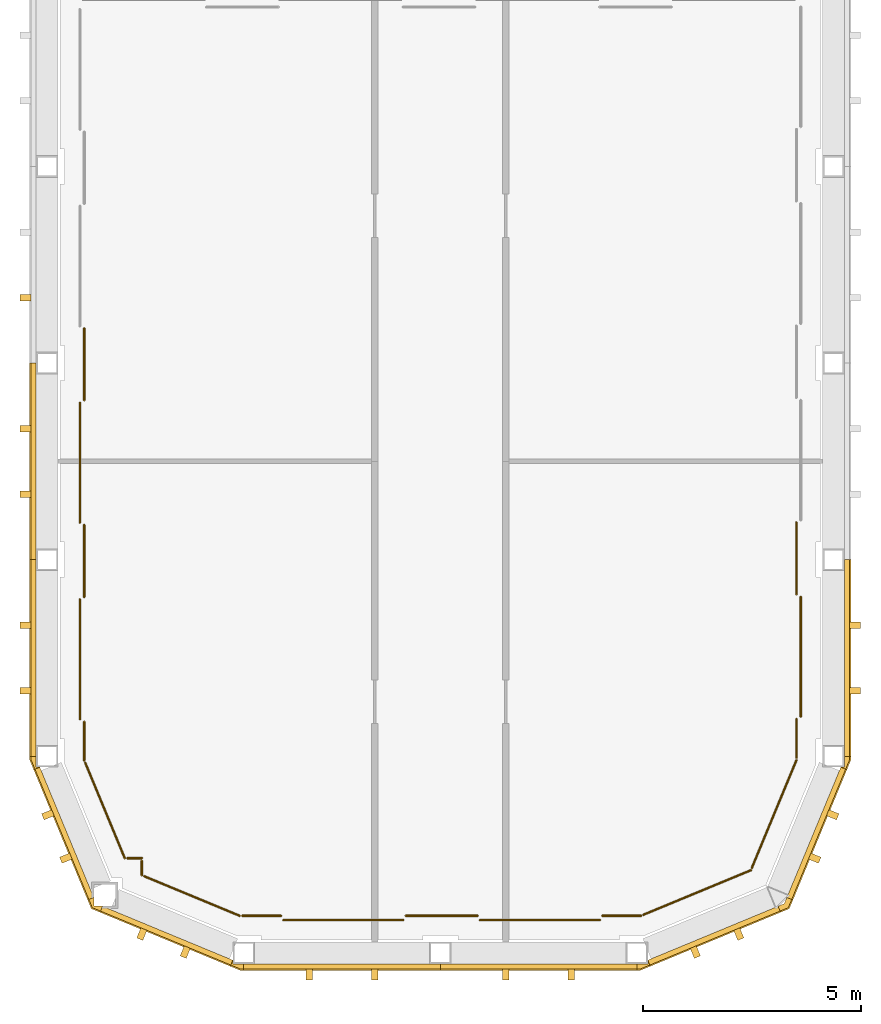
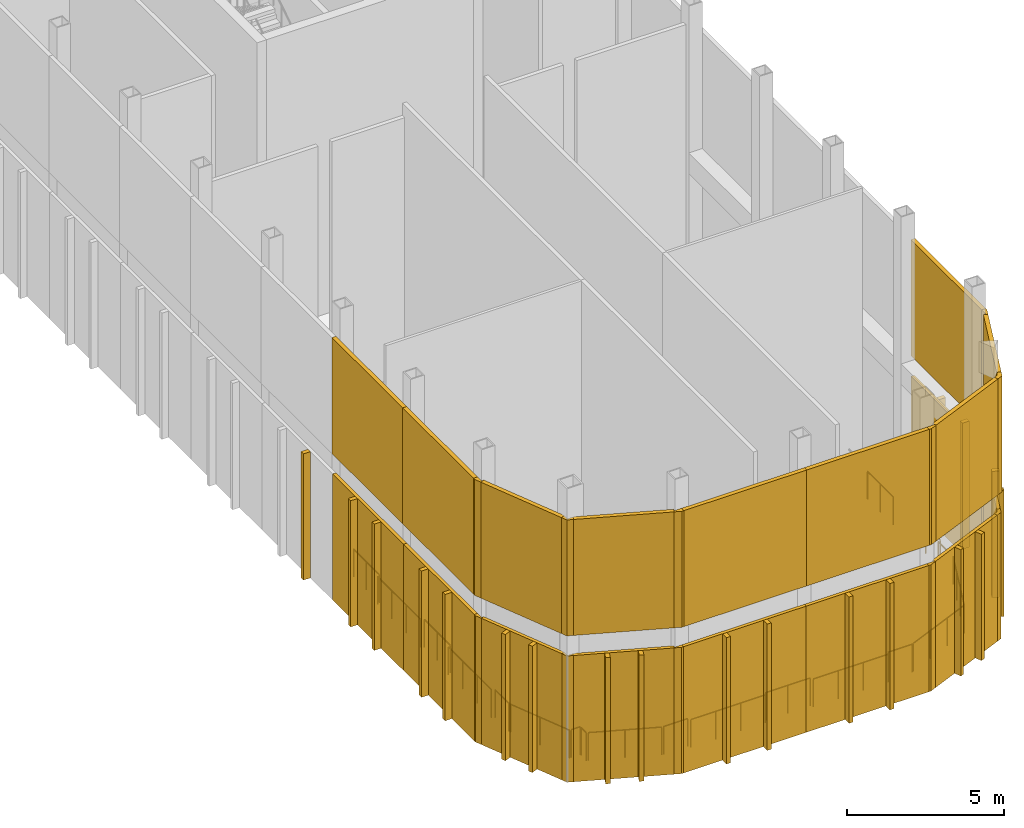
# One storey, part 4 of 8: 49 shading devices, 19 railings.
"""IFC4 building model written with IfcOpenShell, lengths in metres."""

from ifc_helpers import new_model, si_unit, direction, frame, origin, origin_2d, place, context, subcontext, project, spatial, polyline, rectangle, circle, outline, extrude, material, type_object, element, save


model = new_model("IFC4")

# Units and contexts
model_context = context("Model", 3, precision=1e-05, world=origin(), true_north=direction((0.0, 1.0)))
body_context = subcontext(model_context, "Body", "Model", "MODEL_VIEW")
ifc_project = project(units=[si_unit("LENGTHUNIT", "METRE"), si_unit("AREAUNIT", "SQUARE_METRE"), si_unit("VOLUMEUNIT", "CUBIC_METRE"), si_unit("PLANEANGLEUNIT", "RADIAN"), si_unit("MASSUNIT", "GRAM", prefix="KILO")], contexts=[model_context])

# Site, building, storey
site_placement = place(None, origin())
site = spatial("IfcSite", under=ifc_project, at=site_placement, CompositionType="ELEMENT")
building_placement = place(site_placement, origin())
building = spatial("IfcBuilding", under=site, at=building_placement, Name="Girih Gate Residences", CompositionType="ELEMENT")
storey_placement = place(building_placement, frame((0.0, 0.0, 235.695068359375)))
storey = spatial("IfcBuildingStorey", under=building, at=storey_placement, Name="L66", CompositionType="ELEMENT", Elevation=235.695068359375)

# Railings
ifc_material_1 = material(Name="Stainless steel railing", Category="steel")
railing_type = type_object("IfcRailingType", Name="Crown deck guard 1100", PredefinedType="GUARDRAIL", material=ifc_material_1)
railing_1_placement = place(storey_placement, frame((17.14990234375, 9.85009765625, 0.0)))
element("IfcRailing", 1, at=railing_1_placement, inside=storey, type_object=railing_type, Name="Crown deck guard L66 1.1.13", PredefinedType="GUARDRAIL", context=body_context, shape_type="SweptSolid", body=[
    extrude(circle(Radius=0.02490234375, at=origin_2d()), frame((0.0, 0.0, 1.0751953125), z_axis=(0.0, -1.0, 0.0), x_axis=(1.0, 0.0, 0.0)), (0.0, 0.0, 1.0), 1.64013671875),
    extrude(circle(Radius=0.02490234375, at=origin_2d()), origin(), (0.0, 0.0, 1.0), 1.050048828125),
    extrude(circle(Radius=0.02490234375, at=origin_2d()), frame((0.0, -0.820068359375, 0.0)), (0.0, 0.0, 1.0), 1.050048828125),
    extrude(circle(Radius=0.02490234375, at=origin_2d()), frame((0.0, -1.64013671875, 0.0)), (0.0, 0.0, 1.0), 1.050048828125),
])
railing_2_placement = place(storey_placement, frame((17.25, 8.14990234375, 0.0)))
element("IfcRailing", 2, at=railing_2_placement, inside=storey, type_object=railing_type, Name="Crown deck guard L66 1.1.14", PredefinedType="GUARDRAIL", context=body_context, shape_type="SweptSolid", body=[
    extrude(circle(Radius=0.02490234375, at=origin_2d()), frame((0.0, 0.0, 1.0751953125), z_axis=(0.0, -1.0, 0.0), x_axis=(1.0, 0.0, 0.0)), (0.0, 0.0, 1.0), 2.739990234375),
    extrude(circle(Radius=0.02490234375, at=origin_2d()), origin(), (0.0, 0.0, 1.0), 1.050048828125),
    extrude(circle(Radius=0.02490234375, at=origin_2d()), frame((0.0, -0.913330078125, 0.0)), (0.0, 0.0, 1.0), 1.050048828125),
    extrude(circle(Radius=0.02490234375, at=origin_2d()), frame((0.0, -1.82666015625, 0.0)), (0.0, 0.0, 1.0), 1.050048828125),
    extrude(circle(Radius=0.02490234375, at=origin_2d()), frame((0.0, -2.739990234375, 0.0)), (0.0, 0.0, 1.0), 1.050048828125),
])
railing_3_placement = place(storey_placement, frame((17.14990234375, 5.35009765625, 0.0)))
element("IfcRailing", 3, at=railing_3_placement, inside=storey, type_object=railing_type, Name="Crown deck guard L66 1.1.15", PredefinedType="GUARDRAIL", context=body_context, shape_type="SweptSolid", body=[
    extrude(circle(Radius=0.02490234375, at=origin_2d()), frame((0.0, 0.0, 1.0751953125), z_axis=(0.0, -1.0, 0.0), x_axis=(1.0, 0.0, 0.0)), (0.0, 0.0, 1.0), 0.88232421875),
    extrude(circle(Radius=0.02490234375, at=origin_2d()), origin(), (0.0, 0.0, 1.0), 1.050048828125),
    extrude(circle(Radius=0.02490234375, at=origin_2d()), frame((0.0, -0.88232421875, 0.0)), (0.0, 0.0, 1.0), 1.050048828125),
])
railing_4_placement = place(storey_placement, frame((17.14990234375, 4.40771484375, 0.0)))
element("IfcRailing", 4, at=railing_4_placement, inside=storey, type_object=railing_type, Name="Crown deck guard L66 1.1.16", PredefinedType="GUARDRAIL", context=body_context, shape_type="SweptSolid", body=[
    extrude(circle(Radius=0.02490234375, at=origin_2d()), frame((0.0, 0.0, 1.0751953125), z_axis=(-0.382681079373, -0.923880507149, 0.0), x_axis=(0.923880507149, -0.382681079373, 0.0)), (0.0, 0.0, 1.0), 2.662841796875),
    extrude(circle(Radius=0.02490234375, at=origin_2d()), origin(), (0.0, 0.0, 1.0), 1.050048828125),
    extrude(circle(Radius=0.02490234375, at=origin_2d()), frame((-0.339599609375, -0.820068359375, 0.0)), (0.0, 0.0, 1.0), 1.050048828125),
    extrude(circle(Radius=0.02490234375, at=origin_2d()), frame((-0.679443359375, -1.64013671875, 0.0)), (0.0, 0.0, 1.0), 1.050048828125),
    extrude(circle(Radius=0.02490234375, at=origin_2d()), frame((-1.01904296875, -2.460205078125, 0.0)), (0.0, 0.0, 1.0), 1.050048828125),
])
railing_5_placement = place(storey_placement, frame((16.10791015625, 1.89208984375, 0.0)))
element("IfcRailing", 5, at=railing_5_placement, inside=storey, type_object=railing_type, Name="Crown deck guard L66 1.1.17", PredefinedType="GUARDRAIL", context=body_context, shape_type="SweptSolid", body=[
    extrude(circle(Radius=0.02490234375, at=origin_2d()), frame((0.0, 0.0, 1.0751953125), z_axis=(-0.923880507149, -0.382681079373, 0.0), x_axis=(0.382681079373, -0.923880507149, 0.0)), (0.0, 0.0, 1.0), 2.662841796875),
    extrude(circle(Radius=0.02490234375, at=origin_2d()), origin(), (0.0, 0.0, 1.0), 1.050048828125),
    extrude(circle(Radius=0.02490234375, at=origin_2d()), frame((-0.820068359375, -0.339599609375, 0.0)), (0.0, 0.0, 1.0), 1.050048828125),
    extrude(circle(Radius=0.02490234375, at=origin_2d()), frame((-1.64013671875, -0.679443359375, 0.0)), (0.0, 0.0, 1.0), 1.050048828125),
    extrude(circle(Radius=0.02490234375, at=origin_2d()), frame((-2.460205078125, -1.01904296875, 0.0)), (0.0, 0.0, 1.0), 1.050048828125),
])
railing_6_placement = place(storey_placement, frame((13.59228515625, 0.85009765625, 0.0)))
element("IfcRailing", 6, at=railing_6_placement, inside=storey, type_object=railing_type, Name="Crown deck guard L66 1.1.18", PredefinedType="GUARDRAIL", context=body_context, shape_type="SweptSolid", body=[
    extrude(circle(Radius=0.02490234375, at=origin_2d()), frame((0.0, 0.0, 1.0751953125), z_axis=(-1.0, 0.0, 0.0), x_axis=(0.0, -1.0, 0.0)), (0.0, 0.0, 1.0), 0.88232421875),
    extrude(circle(Radius=0.02490234375, at=origin_2d()), origin(), (0.0, 0.0, 1.0), 1.050048828125),
    extrude(circle(Radius=0.02490234375, at=origin_2d()), frame((-0.88232421875, 0.0, 0.0)), (0.0, 0.0, 1.0), 1.050048828125),
])
railing_7_placement = place(storey_placement, frame((12.64990234375, 0.75, 0.0)))
element("IfcRailing", 7, at=railing_7_placement, inside=storey, type_object=railing_type, Name="Crown deck guard L66 1.1.19", PredefinedType="GUARDRAIL", context=body_context, shape_type="SweptSolid", body=[
    extrude(circle(Radius=0.02490234375, at=origin_2d()), frame((0.0, 0.0, 1.0751953125), z_axis=(-1.0, 0.0, 0.0), x_axis=(0.0, -1.0, 0.0)), (0.0, 0.0, 1.0), 2.739990234375),
    extrude(circle(Radius=0.02490234375, at=origin_2d()), origin(), (0.0, 0.0, 1.0), 1.050048828125),
    extrude(circle(Radius=0.02490234375, at=origin_2d()), frame((-0.913330078125, 0.0, 0.0)), (0.0, 0.0, 1.0), 1.050048828125),
    extrude(circle(Radius=0.02490234375, at=origin_2d()), frame((-1.82666015625, 0.0, 0.0)), (0.0, 0.0, 1.0), 1.050048828125),
    extrude(circle(Radius=0.02490234375, at=origin_2d()), frame((-2.739990234375, 0.0, 0.0)), (0.0, 0.0, 1.0), 1.050048828125),
])
railing_8_placement = place(storey_placement, frame((9.85009765625, 0.85009765625, 0.0)))
element("IfcRailing", 8, at=railing_8_placement, inside=storey, type_object=railing_type, Name="Crown deck guard L66 1.1.20", PredefinedType="GUARDRAIL", context=body_context, shape_type="SweptSolid", body=[
    extrude(circle(Radius=0.02490234375, at=origin_2d()), frame((0.0, 0.0, 1.0751953125), z_axis=(-1.0, 0.0, 0.0), x_axis=(0.0, -1.0, 0.0)), (0.0, 0.0, 1.0), 1.64013671875),
    extrude(circle(Radius=0.02490234375, at=origin_2d()), origin(), (0.0, 0.0, 1.0), 1.050048828125),
    extrude(circle(Radius=0.02490234375, at=origin_2d()), frame((-0.820068359375, 0.0, 0.0)), (0.0, 0.0, 1.0), 1.050048828125),
    extrude(circle(Radius=0.02490234375, at=origin_2d()), frame((-1.64013671875, 0.0, 0.0)), (0.0, 0.0, 1.0), 1.050048828125),
])
railing_9_placement = place(storey_placement, frame((8.14990234375, 0.75, 0.0)))
element("IfcRailing", 9, at=railing_9_placement, inside=storey, type_object=railing_type, Name="Crown deck guard L66 1.1.21", PredefinedType="GUARDRAIL", context=body_context, shape_type="SweptSolid", body=[
    extrude(circle(Radius=0.02490234375, at=origin_2d()), frame((0.0, 0.0, 1.0751953125), z_axis=(-1.0, 0.0, 0.0), x_axis=(0.0, -1.0, 0.0)), (0.0, 0.0, 1.0), 2.739990234375),
    extrude(circle(Radius=0.02490234375, at=origin_2d()), origin(), (0.0, 0.0, 1.0), 1.050048828125),
    extrude(circle(Radius=0.02490234375, at=origin_2d()), frame((-0.913330078125, 0.0, 0.0)), (0.0, 0.0, 1.0), 1.050048828125),
    extrude(circle(Radius=0.02490234375, at=origin_2d()), frame((-1.82666015625, 0.0, 0.0)), (0.0, 0.0, 1.0), 1.050048828125),
    extrude(circle(Radius=0.02490234375, at=origin_2d()), frame((-2.739990234375, 0.0, 0.0)), (0.0, 0.0, 1.0), 1.050048828125),
])
railing_10_placement = place(storey_placement, frame((5.35009765625, 0.85009765625, 0.0)))
element("IfcRailing", 10, at=railing_10_placement, inside=storey, type_object=railing_type, Name="Crown deck guard L66 1.1.22", PredefinedType="GUARDRAIL", context=body_context, shape_type="SweptSolid", body=[
    extrude(circle(Radius=0.02490234375, at=origin_2d()), frame((0.0, 0.0, 1.0751953125), z_axis=(-1.0, 0.0, 0.0), x_axis=(0.0, -1.0, 0.0)), (0.0, 0.0, 1.0), 0.88232421875),
    extrude(circle(Radius=0.02490234375, at=origin_2d()), origin(), (0.0, 0.0, 1.0), 1.050048828125),
    extrude(circle(Radius=0.02490234375, at=origin_2d()), frame((-0.88232421875, 0.0, 0.0)), (0.0, 0.0, 1.0), 1.050048828125),
])
railing_11_placement = place(storey_placement, frame((4.40771484375, 0.85009765625, 0.0)))
element("IfcRailing", 11, at=railing_11_placement, inside=storey, type_object=railing_type, Name="Crown deck guard L66 1.1.23", PredefinedType="GUARDRAIL", context=body_context, shape_type="SweptSolid", body=[
    extrude(circle(Radius=0.02490234375, at=origin_2d()), frame((0.0, 0.0, 1.0751953125), z_axis=(-0.923878391349, 0.382686187363, 0.0), x_axis=(-0.382686187363, -0.923878391349, 0.0)), (0.0, 0.0, 1.0), 2.3642578125),
    extrude(circle(Radius=0.02490234375, at=origin_2d()), origin(), (0.0, 0.0, 1.0), 1.050048828125),
    extrude(circle(Radius=0.02490234375, at=origin_2d()), frame((-1.09228515625, 0.452392578125, 0.0)), (0.0, 0.0, 1.0), 1.050048828125),
    extrude(circle(Radius=0.02490234375, at=origin_2d()), frame((-2.184326171875, 0.90478515625, 0.0)), (0.0, 0.0, 1.0), 1.050048828125),
])
railing_12_placement = place(storey_placement, frame((2.16796875, 1.777587890625, 0.0)))
element("IfcRailing", 12, at=railing_12_placement, inside=storey, type_object=railing_type, Name="Crown deck guard L66 1.1.24", PredefinedType="GUARDRAIL", context=body_context, shape_type="SweptSolid", body=[
    extrude(circle(Radius=0.02490234375, at=origin_2d()), frame((0.0, 0.0, 1.0751953125), z_axis=(0.0, 1.0, 0.0), x_axis=(-1.0, 0.0, 0.0)), (0.0, 0.0, 1.0), 0.330322265625),
    extrude(circle(Radius=0.02490234375, at=origin_2d()), origin(), (0.0, 0.0, 1.0), 1.050048828125),
    extrude(circle(Radius=0.02490234375, at=origin_2d()), frame((0.0, 0.330322265625, 0.0)), (0.0, 0.0, 1.0), 1.050048828125),
])
railing_13_placement = place(storey_placement, frame((2.16796875, 2.16796875, 0.0)))
element("IfcRailing", 13, at=railing_13_placement, inside=storey, type_object=railing_type, Name="Crown deck guard L66 1.1.25", PredefinedType="GUARDRAIL", context=body_context, shape_type="SweptSolid", body=[
    extrude(circle(Radius=0.02490234375, at=origin_2d()), frame((0.0, 0.0, 1.0751953125), z_axis=(-1.0, 0.0, 0.0), x_axis=(0.0, -1.0, 0.0)), (0.0, 0.0, 1.0), 0.330322265625),
    extrude(circle(Radius=0.02490234375, at=origin_2d()), origin(), (0.0, 0.0, 1.0), 1.050048828125),
    extrude(circle(Radius=0.02490234375, at=origin_2d()), frame((-0.330322265625, 0.0, 0.0)), (0.0, 0.0, 1.0), 1.050048828125),
])
railing_14_placement = place(storey_placement, frame((1.777587890625, 2.16796875, 0.0)))
element("IfcRailing", 14, at=railing_14_placement, inside=storey, type_object=railing_type, Name="Crown deck guard L66 1.1.26", PredefinedType="GUARDRAIL", context=body_context, shape_type="SweptSolid", body=[
    extrude(circle(Radius=0.02490234375, at=origin_2d()), frame((0.0, 0.0, 1.0751953125), z_axis=(-0.382598043368, 0.923914897169, 0.0), x_axis=(-0.923914897169, -0.382598043368, 0.0)), (0.0, 0.0, 1.0), 2.3642578125),
    extrude(circle(Radius=0.02490234375, at=origin_2d()), origin(), (0.0, 0.0, 1.0), 1.050048828125),
    extrude(circle(Radius=0.02490234375, at=origin_2d()), frame((-0.4521484375, 1.09228515625, 0.0)), (0.0, 0.0, 1.0), 1.050048828125),
    extrude(circle(Radius=0.02490234375, at=origin_2d()), frame((-0.904541015625, 2.184326171875, 0.0)), (0.0, 0.0, 1.0), 1.050048828125),
])
railing_15_placement = place(storey_placement, frame((0.85009765625, 4.40771484375, 0.0)))
element("IfcRailing", 15, at=railing_15_placement, inside=storey, type_object=railing_type, Name="Crown deck guard L66 1.1.27", PredefinedType="GUARDRAIL", context=body_context, shape_type="SweptSolid", body=[
    extrude(circle(Radius=0.02490234375, at=origin_2d()), frame((0.0, 0.0, 1.0751953125), z_axis=(0.0, 1.0, 0.0), x_axis=(-1.0, 0.0, 0.0)), (0.0, 0.0, 1.0), 0.88232421875),
    extrude(circle(Radius=0.02490234375, at=origin_2d()), origin(), (0.0, 0.0, 1.0), 1.050048828125),
    extrude(circle(Radius=0.02490234375, at=origin_2d()), frame((0.0, 0.88232421875, 0.0)), (0.0, 0.0, 1.0), 1.050048828125),
])
railing_16_placement = place(storey_placement, frame((0.75, 5.35009765625, 0.0)))
element("IfcRailing", 16, at=railing_16_placement, inside=storey, type_object=railing_type, Name="Crown deck guard L66 1.1.28", PredefinedType="GUARDRAIL", context=body_context, shape_type="SweptSolid", body=[
    extrude(circle(Radius=0.02490234375, at=origin_2d()), frame((0.0, 0.0, 1.0751953125), z_axis=(0.0, 1.0, 0.0), x_axis=(-1.0, 0.0, 0.0)), (0.0, 0.0, 1.0), 2.739990234375),
    extrude(circle(Radius=0.02490234375, at=origin_2d()), origin(), (0.0, 0.0, 1.0), 1.050048828125),
    extrude(circle(Radius=0.02490234375, at=origin_2d()), frame((0.0, 0.913330078125, 0.0)), (0.0, 0.0, 1.0), 1.050048828125),
    extrude(circle(Radius=0.02490234375, at=origin_2d()), frame((0.0, 1.82666015625, 0.0)), (0.0, 0.0, 1.0), 1.050048828125),
    extrude(circle(Radius=0.02490234375, at=origin_2d()), frame((0.0, 2.739990234375, 0.0)), (0.0, 0.0, 1.0), 1.050048828125),
])
railing_17_placement = place(storey_placement, frame((0.85009765625, 8.14990234375, 0.0)))
element("IfcRailing", 17, at=railing_17_placement, inside=storey, type_object=railing_type, Name="Crown deck guard L66 1.1.29", PredefinedType="GUARDRAIL", context=body_context, shape_type="SweptSolid", body=[
    extrude(circle(Radius=0.02490234375, at=origin_2d()), frame((0.0, 0.0, 1.0751953125), z_axis=(0.0, 1.0, 0.0), x_axis=(-1.0, 0.0, 0.0)), (0.0, 0.0, 1.0), 1.64013671875),
    extrude(circle(Radius=0.02490234375, at=origin_2d()), origin(), (0.0, 0.0, 1.0), 1.050048828125),
    extrude(circle(Radius=0.02490234375, at=origin_2d()), frame((0.0, 0.820068359375, 0.0)), (0.0, 0.0, 1.0), 1.050048828125),
    extrude(circle(Radius=0.02490234375, at=origin_2d()), frame((0.0, 1.64013671875, 0.0)), (0.0, 0.0, 1.0), 1.050048828125),
])
railing_18_placement = place(storey_placement, frame((0.75, 9.85009765625, 0.0)))
element("IfcRailing", 18, at=railing_18_placement, inside=storey, type_object=railing_type, Name="Crown deck guard L66 1.1.30", PredefinedType="GUARDRAIL", context=body_context, shape_type="SweptSolid", body=[
    extrude(circle(Radius=0.02490234375, at=origin_2d()), frame((0.0, 0.0, 1.0751953125), z_axis=(0.0, 1.0, 0.0), x_axis=(-1.0, 0.0, 0.0)), (0.0, 0.0, 1.0), 2.739990234375),
    extrude(circle(Radius=0.02490234375, at=origin_2d()), origin(), (0.0, 0.0, 1.0), 1.050048828125),
    extrude(circle(Radius=0.02490234375, at=origin_2d()), frame((0.0, 0.913330078125, 0.0)), (0.0, 0.0, 1.0), 1.050048828125),
    extrude(circle(Radius=0.02490234375, at=origin_2d()), frame((0.0, 1.82666015625, 0.0)), (0.0, 0.0, 1.0), 1.050048828125),
    extrude(circle(Radius=0.02490234375, at=origin_2d()), frame((0.0, 2.739990234375, 0.0)), (0.0, 0.0, 1.0), 1.050048828125),
])
railing_19_placement = place(storey_placement, frame((0.85009765625, 12.64990234375, 0.0)))
element("IfcRailing", 19, at=railing_19_placement, inside=storey, type_object=railing_type, Name="Crown deck guard L66 1.1.31", PredefinedType="GUARDRAIL", context=body_context, shape_type="SweptSolid", body=[
    extrude(circle(Radius=0.02490234375, at=origin_2d()), frame((0.0, 0.0, 1.0751953125), z_axis=(0.0, 1.0, 0.0), x_axis=(-1.0, 0.0, 0.0)), (0.0, 0.0, 1.0), 1.64013671875),
    extrude(circle(Radius=0.02490234375, at=origin_2d()), origin(), (0.0, 0.0, 1.0), 1.050048828125),
    extrude(circle(Radius=0.02490234375, at=origin_2d()), frame((0.0, 0.820068359375, 0.0)), (0.0, 0.0, 1.0), 1.050048828125),
    extrude(circle(Radius=0.02490234375, at=origin_2d()), frame((0.0, 1.64013671875, 0.0)), (0.0, 0.0, 1.0), 1.050048828125),
])

# Shading devices
ifc_material_2 = material(Name="Precast concrete C50/60", Category="concrete")
shading_device_type_1 = type_object("IfcShadingDeviceType", Name="Crown fluted rib 150x250", PredefinedType="USERDEFINED", material=ifc_material_2)
for number, where, z_axis, x_axis, name in (
    (20, (-0.4951171875, 15.0, 0.0), (0.0, 0.0, 1.0), (0.0, -1.0, 0.0), "Crown rib 1.W0000_0450.6.2"),
    (21, (-0.4951171875, 12.0, 0.0), (0.0, 0.0, 1.0), (0.0, -1.0, 0.0), "Crown rib 1.W0000_0450.7.1"),
    (22, (-0.4951171875, 10.5, 0.0), (0.0, 0.0, 1.0), (0.0, -1.0, 0.0), "Crown rib 1.W0000_0450.7.2"),
    (23, (-0.4951171875, 7.5, 0.0), (0.0, 0.0, 1.0), (0.0, -1.0, 0.0), "Crown rib 1.W0000_0450.8.1"),
    (24, (-0.4951171875, 6.0, 0.0), (0.0, 0.0, 1.0), (0.0, -1.0, 0.0), "Crown rib 1.W0000_0450.8.2"),
    (25, (0.018310546875, 3.162353515625, 0.0), (0.0, 0.0, 1.0), (0.382683432365, -0.923879532511, 0.0), "Crown rib 1.SW0000_0045.0.1"),
    (26, (0.429931640625, 2.16845703125, 0.0), (0.0, 0.0, 1.0), (0.382683432365, -0.923879532511, 0.0), "Crown rib 1.SW0000_0045.0.2"),
    (27, (2.16845703125, 0.429931640625, 0.0), (0.0, 0.0, 1.0), (0.923879532511, -0.382683432365, 0.0), "Crown rib 1.SW0013_0013.0.1"),
    (28, (3.162353515625, 0.018310546875, 0.0), (0.0, 0.0, 1.0), (0.923879532511, -0.382683432365, 0.0), "Crown rib 1.SW0013_0013.0.2"),
    (29, (6.0, -0.4951171875, 0.0), (0.0, 0.0, 1.0), (1.0, 0.0, 0.0), "Crown rib 1.S0045_0000.0.1"),
    (30, (7.5, -0.4951171875, 0.0), (0.0, 0.0, 1.0), (1.0, 0.0, 0.0), "Crown rib 1.S0045_0000.0.2"),
    (31, (10.5, -0.4951171875, 0.0), (0.0, 0.0, 1.0), (1.0, 0.0, 0.0), "Crown rib 1.S0045_0000.1.1"),
    (32, (12.0, -0.4951171875, 0.0), (0.0, 0.0, 1.0), (1.0, 0.0, 0.0), "Crown rib 1.S0045_0000.1.2"),
    (33, (14.837646484375, 0.018310546875, 0.0), (0.0, 0.0, 1.0), (0.923879532511, 0.382683432365, 0.0), "Crown rib 1.SE0135_0000.0.1"),
    (34, (15.83154296875, 0.429931640625, 0.0), (0.0, 0.0, 1.0), (0.923879532511, 0.382683432365, 0.0), "Crown rib 1.SE0135_0000.0.2"),
    (35, (17.570068359375, 2.16845703125, 0.0), (0.0, 0.0, 1.0), (0.382683432365, 0.923879532511, 0.0), "Crown rib 1.SE0167_0013.0.1"),
    (36, (17.981689453125, 3.162353515625, 0.0), (0.0, 0.0, 1.0), (0.382683432365, 0.923879532511, 0.0), "Crown rib 1.SE0167_0013.0.2"),
    (37, (18.4951171875, 6.0, 0.0), (0.0, 0.0, 1.0), (0.0, 1.0, 0.0), "Crown rib 1.E0180_0045.0.1"),
    (38, (18.4951171875, 7.5, 0.0), (0.0, 0.0, 1.0), (0.0, 1.0, 0.0), "Crown rib 1.E0180_0045.0.2"),
):
    element("IfcShadingDevice", number, at=place(storey_placement, frame(where, z_axis=z_axis, x_axis=x_axis)), inside=storey, type_object=shading_device_type_1, Name=name, ObjectType="FIN", PredefinedType="USERDEFINED", context=body_context, shape_type="SweptSolid", body=[
        extrude(rectangle(XDim=0.14990234375, YDim=0.25, at=origin_2d()), origin(), (0.0, 0.0, 1.0), 4.89990234375),
    ])
ifc_material_3 = material(Name="Aluminium louvre", Category="aluminium")
shading_device_type_2 = type_object("IfcShadingDeviceType", Name="Crown louvre band 150", PredefinedType="USERDEFINED", material=ifc_material_3)
for number, where, z_axis, x_axis, name in (
    (39, (-0.324951171875, 11.25, 5.699951171875), (0.0, 0.0, 1.0), (0.0, -1.0, 0.0), "Crown louvre 2.W0000_0450.7"),
    (40, (-0.324951171875, 6.75, 5.699951171875), (0.0, 0.0, 1.0), (0.0, -1.0, 0.0), "Crown louvre 2.W0000_0450.8"),
):
    element("IfcShadingDevice", number, at=place(storey_placement, frame(where, z_axis=z_axis, x_axis=x_axis)), inside=storey, type_object=shading_device_type_2, Name=name, ObjectType="LOUVRE", PredefinedType="USERDEFINED", context=body_context, shape_type="SweptSolid", body=[
        extrude(rectangle(XDim=4.5, YDim=0.14990234375, at=origin_2d()), origin(), (0.0, 0.0, 1.0), 4.5),
    ])
for number, where, z_axis, x_axis, name in (
    (41, (0.381103515625, 2.73046875, 5.699951171875), (0.0, 0.0, 1.0), (0.382683432365, -0.923879532511, 0.0), "Crown louvre 2.SW0000_0045.0"),
    (42, (2.73046875, 0.381103515625, 5.699951171875), (0.0, 0.0, 1.0), (0.923879532511, -0.382683432365, 0.0), "Crown louvre 2.SW0013_0013.0"),
):
    element("IfcShadingDevice", number, at=place(storey_placement, frame(where, z_axis=z_axis, x_axis=x_axis)), inside=storey, type_object=shading_device_type_2, Name=name, ObjectType="LOUVRE", PredefinedType="USERDEFINED", context=body_context, shape_type="SweptSolid", body=[
        extrude(rectangle(XDim=3.227294921875, YDim=0.14990234375, at=origin_2d()), origin(), (0.0, 0.0, 1.0), 4.5),
    ])
for number, where, z_axis, x_axis, name in (
    (43, (6.75, -0.324951171875, 5.699951171875), (0.0, 0.0, 1.0), (1.0, 0.0, 0.0), "Crown louvre 2.S0045_0000.0"),
    (44, (11.25, -0.324951171875, 5.699951171875), (0.0, 0.0, 1.0), (1.0, 0.0, 0.0), "Crown louvre 2.S0045_0000.1"),
):
    element("IfcShadingDevice", number, at=place(storey_placement, frame(where, z_axis=z_axis, x_axis=x_axis)), inside=storey, type_object=shading_device_type_2, Name=name, ObjectType="LOUVRE", PredefinedType="USERDEFINED", context=body_context, shape_type="SweptSolid", body=[
        extrude(rectangle(XDim=4.5, YDim=0.14990234375, at=origin_2d()), origin(), (0.0, 0.0, 1.0), 4.5),
    ])
for number, where, z_axis, x_axis, name in (
    (45, (15.26953125, 0.381103515625, 5.699951171875), (0.0, 0.0, 1.0), (0.923879532511, 0.382683432365, 0.0), "Crown louvre 2.SE0135_0000.0"),
    (46, (17.618896484375, 2.73046875, 5.699951171875), (0.0, 0.0, 1.0), (0.382683432365, 0.923879532511, 0.0), "Crown louvre 2.SE0167_0013.0"),
):
    element("IfcShadingDevice", number, at=place(storey_placement, frame(where, z_axis=z_axis, x_axis=x_axis)), inside=storey, type_object=shading_device_type_2, Name=name, ObjectType="LOUVRE", PredefinedType="USERDEFINED", context=body_context, shape_type="SweptSolid", body=[
        extrude(rectangle(XDim=3.227294921875, YDim=0.14990234375, at=origin_2d()), origin(), (0.0, 0.0, 1.0), 4.5),
    ])
shading_device_1_placement = place(storey_placement, frame((18.324951171875, 6.75, 5.699951171875), z_axis=(0.0, 0.0, 1.0), x_axis=(0.0, 1.0, 0.0)))
element("IfcShadingDevice", 47, at=shading_device_1_placement, inside=storey, type_object=shading_device_type_2, Name="Crown louvre 2.E0180_0045.0", ObjectType="LOUVRE", PredefinedType="USERDEFINED", context=body_context, shape_type="SweptSolid", body=[
    extrude(rectangle(XDim=4.5, YDim=0.14990234375, at=origin_2d()), origin(), (0.0, 0.0, 1.0), 4.5),
])
shading_device_2_placement = place(storey_placement, frame((0.0, 0.0, 5.699951171875)))
element("IfcShadingDevice", 48, at=shading_device_2_placement, inside=storey, type_object=shading_device_type_2, Name="Crown louvre corner 2.W0000_0450.8", ObjectType="LOUVRE", PredefinedType="USERDEFINED", context=body_context, shape_type="SweptSolid", body=[
    extrude(outline(polyline([(-0.39990234375, 4.42041015625), (-0.39990234375, 4.5), (-0.25, 4.5), (-0.25, 4.25), (-0.167236328125, 4.25), (-0.3056640625, 4.192626953125), (-0.39990234375, 4.42041015625)])), origin(), (0.0, 0.0, 1.0), 4.5),
])
shading_device_3_placement = place(storey_placement, frame((0.0, 0.0, 5.699951171875)))
element("IfcShadingDevice", 49, at=shading_device_3_placement, inside=storey, type_object=shading_device_type_2, Name="Crown louvre corner 2.SW0000_0045.0", ObjectType="LOUVRE", PredefinedType="USERDEFINED", context=body_context, shape_type="SweptSolid", body=[
    extrude(outline(polyline([(1.011962890625, 1.011962890625), (0.929443359375, 1.2109375), (1.068115234375, 1.268310546875), (1.068115234375, 1.068115234375), (1.268310546875, 1.068115234375), (1.2109375, 0.929443359375), (1.011962890625, 1.011962890625)])), origin(), (0.0, 0.0, 1.0), 4.5),
])
shading_device_4_placement = place(storey_placement, frame((0.0, 0.0, 5.699951171875)))
element("IfcShadingDevice", 50, at=shading_device_4_placement, inside=storey, type_object=shading_device_type_2, Name="Crown louvre corner 2.SW0013_0013.0", ObjectType="LOUVRE", PredefinedType="USERDEFINED", context=body_context, shape_type="SweptSolid", body=[
    extrude(outline(polyline([(4.42041015625, -0.39990234375), (4.192626953125, -0.3056640625), (4.25, -0.1669921875), (4.25, -0.25), (4.5, -0.25), (4.5, -0.39990234375), (4.42041015625, -0.39990234375)])), origin(), (0.0, 0.0, 1.0), 4.5),
])
shading_device_5_placement = place(storey_placement, frame((0.0, 0.0, 5.699951171875)))
element("IfcShadingDevice", 51, at=shading_device_5_placement, inside=storey, type_object=shading_device_type_2, Name="Crown louvre corner 2.S0045_0000.1", ObjectType="LOUVRE", PredefinedType="USERDEFINED", context=body_context, shape_type="SweptSolid", body=[
    extrude(outline(polyline([(13.57958984375, -0.39990234375), (13.5, -0.39990234375), (13.5, -0.25), (13.75, -0.25), (13.75, -0.167236328125), (13.807373046875, -0.3056640625), (13.57958984375, -0.39990234375)])), origin(), (0.0, 0.0, 1.0), 4.5),
])
shading_device_6_placement = place(storey_placement, frame((0.0, 0.0, 5.699951171875)))
element("IfcShadingDevice", 52, at=shading_device_6_placement, inside=storey, type_object=shading_device_type_2, Name="Crown louvre corner 2.SE0135_0000.0", ObjectType="LOUVRE", PredefinedType="USERDEFINED", context=body_context, shape_type="SweptSolid", body=[
    extrude(outline(polyline([(16.988037109375, 1.011962890625), (16.7890625, 0.929443359375), (16.731689453125, 1.068115234375), (16.873291015625, 1.126708984375), (16.931884765625, 1.268310546875), (17.070556640625, 1.2109375), (16.988037109375, 1.011962890625)])), origin(), (0.0, 0.0, 1.0), 4.5),
])
shading_device_7_placement = place(storey_placement, frame((0.0, 0.0, 5.699951171875)))
element("IfcShadingDevice", 53, at=shading_device_7_placement, inside=storey, type_object=shading_device_type_2, Name="Crown louvre corner 2.SE0167_0013.0", ObjectType="LOUVRE", PredefinedType="USERDEFINED", context=body_context, shape_type="SweptSolid", body=[
    extrude(outline(polyline([(18.39990234375, 4.42041015625), (18.3056640625, 4.192626953125), (18.1669921875, 4.25), (18.25, 4.25), (18.25, 4.5), (18.39990234375, 4.5), (18.39990234375, 4.42041015625)])), origin(), (0.0, 0.0, 1.0), 4.5),
])
ifc_material_4 = material(Name="Turquoise glazed tile panjara screen")
shading_device_type_3 = type_object("IfcShadingDeviceType", Name="Crown tile screen 120", PredefinedType="USERDEFINED", material=ifc_material_4)
for number, where, z_axis, x_axis, name in (
    (54, (-0.31005859375, 11.25, 0.0), (0.0, 0.0, 1.0), (0.0, -1.0, 0.0), "Crown screen 1.W0000_0450.7"),
    (55, (-0.31005859375, 6.75, 0.0), (0.0, 0.0, 1.0), (0.0, -1.0, 0.0), "Crown screen 1.W0000_0450.8"),
):
    element("IfcShadingDevice", number, at=place(storey_placement, frame(where, z_axis=z_axis, x_axis=x_axis)), inside=storey, type_object=shading_device_type_3, Name=name, ObjectType="SCREEN", PredefinedType="USERDEFINED", context=body_context, shape_type="SweptSolid", body=[
        extrude(rectangle(XDim=4.5, YDim=0.1201171875, at=origin_2d()), origin(), (0.0, 0.0, 1.0), 4.89990234375),
    ])
for number, where, z_axis, x_axis, name in (
    (56, (0.39501953125, 2.736328125, 0.0), (0.0, 0.0, 1.0), (0.382683432365, -0.923879532511, 0.0), "Crown screen 1.SW0000_0045.0"),
    (57, (2.736083984375, 0.39501953125, 0.0), (0.0, 0.0, 1.0), (0.923879532511, -0.382683432365, 0.0), "Crown screen 1.SW0013_0013.0"),
):
    element("IfcShadingDevice", number, at=place(storey_placement, frame(where, z_axis=z_axis, x_axis=x_axis)), inside=storey, type_object=shading_device_type_3, Name=name, ObjectType="SCREEN", PredefinedType="USERDEFINED", context=body_context, shape_type="SweptSolid", body=[
        extrude(rectangle(XDim=3.227294921875, YDim=0.1201171875, at=origin_2d()), origin(), (0.0, 0.0, 1.0), 4.89990234375),
    ])
for number, where, z_axis, x_axis, name in (
    (58, (6.75, -0.31005859375, 0.0), (0.0, 0.0, 1.0), (1.0, 0.0, 0.0), "Crown screen 1.S0045_0000.0"),
    (59, (11.25, -0.31005859375, 0.0), (0.0, 0.0, 1.0), (1.0, 0.0, 0.0), "Crown screen 1.S0045_0000.1"),
):
    element("IfcShadingDevice", number, at=place(storey_placement, frame(where, z_axis=z_axis, x_axis=x_axis)), inside=storey, type_object=shading_device_type_3, Name=name, ObjectType="SCREEN", PredefinedType="USERDEFINED", context=body_context, shape_type="SweptSolid", body=[
        extrude(rectangle(XDim=4.5, YDim=0.1201171875, at=origin_2d()), origin(), (0.0, 0.0, 1.0), 4.89990234375),
    ])
for number, where, z_axis, x_axis, name in (
    (60, (15.263671875, 0.39501953125, 0.0), (0.0, 0.0, 1.0), (0.923879532511, 0.382683432365, 0.0), "Crown screen 1.SE0135_0000.0"),
    (61, (17.60498046875, 2.736083984375, 0.0), (0.0, 0.0, 1.0), (0.382683432365, 0.923879532511, 0.0), "Crown screen 1.SE0167_0013.0"),
):
    element("IfcShadingDevice", number, at=place(storey_placement, frame(where, z_axis=z_axis, x_axis=x_axis)), inside=storey, type_object=shading_device_type_3, Name=name, ObjectType="SCREEN", PredefinedType="USERDEFINED", context=body_context, shape_type="SweptSolid", body=[
        extrude(rectangle(XDim=3.227294921875, YDim=0.1201171875, at=origin_2d()), origin(), (0.0, 0.0, 1.0), 4.89990234375),
    ])
shading_device_8_placement = place(storey_placement, frame((18.31005859375, 6.75, 0.0), z_axis=(0.0, 0.0, 1.0), x_axis=(0.0, 1.0, 0.0)))
element("IfcShadingDevice", 62, at=shading_device_8_placement, inside=storey, type_object=shading_device_type_3, Name="Crown screen 1.E0180_0045.0", ObjectType="SCREEN", PredefinedType="USERDEFINED", context=body_context, shape_type="SweptSolid", body=[
    extrude(rectangle(XDim=4.5, YDim=0.1201171875, at=origin_2d()), origin(), (0.0, 0.0, 1.0), 4.89990234375),
])
shading_device_9_placement = place(storey_placement, origin())
element("IfcShadingDevice", 63, at=shading_device_9_placement, inside=storey, type_object=shading_device_type_3, Name="Crown screen corner 1.W0000_0450.8", ObjectType="SCREEN", PredefinedType="USERDEFINED", context=body_context, shape_type="SweptSolid", body=[
    extrude(outline(polyline([(-0.3701171875, 4.426513671875), (-0.3701171875, 4.5), (-0.25, 4.5), (-0.25, 4.25), (-0.167236328125, 4.25), (-0.27783203125, 4.2041015625), (-0.3701171875, 4.426513671875)])), origin(), (0.0, 0.0, 1.0), 4.89990234375),
])
shading_device_10_placement = place(storey_placement, origin())
element("IfcShadingDevice", 64, at=shading_device_10_placement, inside=storey, type_object=shading_device_type_3, Name="Crown screen corner 1.SW0000_0045.0", ObjectType="SCREEN", PredefinedType="USERDEFINED", context=body_context, shape_type="SweptSolid", body=[
    extrude(outline(polyline([(1.034912109375, 1.034912109375), (0.95703125, 1.222412109375), (1.068115234375, 1.268310546875), (1.068115234375, 1.068115234375), (1.268310546875, 1.068115234375), (1.222412109375, 0.957275390625), (1.034912109375, 1.034912109375)])), origin(), (0.0, 0.0, 1.0), 4.89990234375),
])
shading_device_11_placement = place(storey_placement, origin())
element("IfcShadingDevice", 65, at=shading_device_11_placement, inside=storey, type_object=shading_device_type_3, Name="Crown screen corner 1.SW0013_0013.0", ObjectType="SCREEN", PredefinedType="USERDEFINED", context=body_context, shape_type="SweptSolid", body=[
    extrude(outline(polyline([(4.426513671875, -0.3701171875), (4.2041015625, -0.27783203125), (4.25, -0.1669921875), (4.25, -0.25), (4.5, -0.25), (4.5, -0.3701171875), (4.426513671875, -0.3701171875)])), origin(), (0.0, 0.0, 1.0), 4.89990234375),
])
shading_device_12_placement = place(storey_placement, origin())
element("IfcShadingDevice", 66, at=shading_device_12_placement, inside=storey, type_object=shading_device_type_3, Name="Crown screen corner 1.S0045_0000.1", ObjectType="SCREEN", PredefinedType="USERDEFINED", context=body_context, shape_type="SweptSolid", body=[
    extrude(outline(polyline([(13.573486328125, -0.3701171875), (13.5, -0.3701171875), (13.5, -0.25), (13.75, -0.25), (13.75, -0.167236328125), (13.7958984375, -0.27783203125), (13.573486328125, -0.3701171875)])), origin(), (0.0, 0.0, 1.0), 4.89990234375),
])
shading_device_13_placement = place(storey_placement, origin())
element("IfcShadingDevice", 67, at=shading_device_13_placement, inside=storey, type_object=shading_device_type_3, Name="Crown screen corner 1.SE0135_0000.0", ObjectType="SCREEN", PredefinedType="USERDEFINED", context=body_context, shape_type="SweptSolid", body=[
    extrude(outline(polyline([(16.965087890625, 1.034912109375), (16.777587890625, 0.95703125), (16.731689453125, 1.068115234375), (16.873291015625, 1.126708984375), (16.931884765625, 1.268310546875), (17.042724609375, 1.222412109375), (16.965087890625, 1.034912109375)])), origin(), (0.0, 0.0, 1.0), 4.89990234375),
])
shading_device_14_placement = place(storey_placement, origin())
element("IfcShadingDevice", 68, at=shading_device_14_placement, inside=storey, type_object=shading_device_type_3, Name="Crown screen corner 1.SE0167_0013.0", ObjectType="SCREEN", PredefinedType="USERDEFINED", context=body_context, shape_type="SweptSolid", body=[
    extrude(outline(polyline([(18.3701171875, 4.426513671875), (18.27783203125, 4.2041015625), (18.1669921875, 4.25), (18.25, 4.25), (18.25, 4.5), (18.3701171875, 4.5), (18.3701171875, 4.426513671875)])), origin(), (0.0, 0.0, 1.0), 4.89990234375),
])

save(model, "model.ifc")
